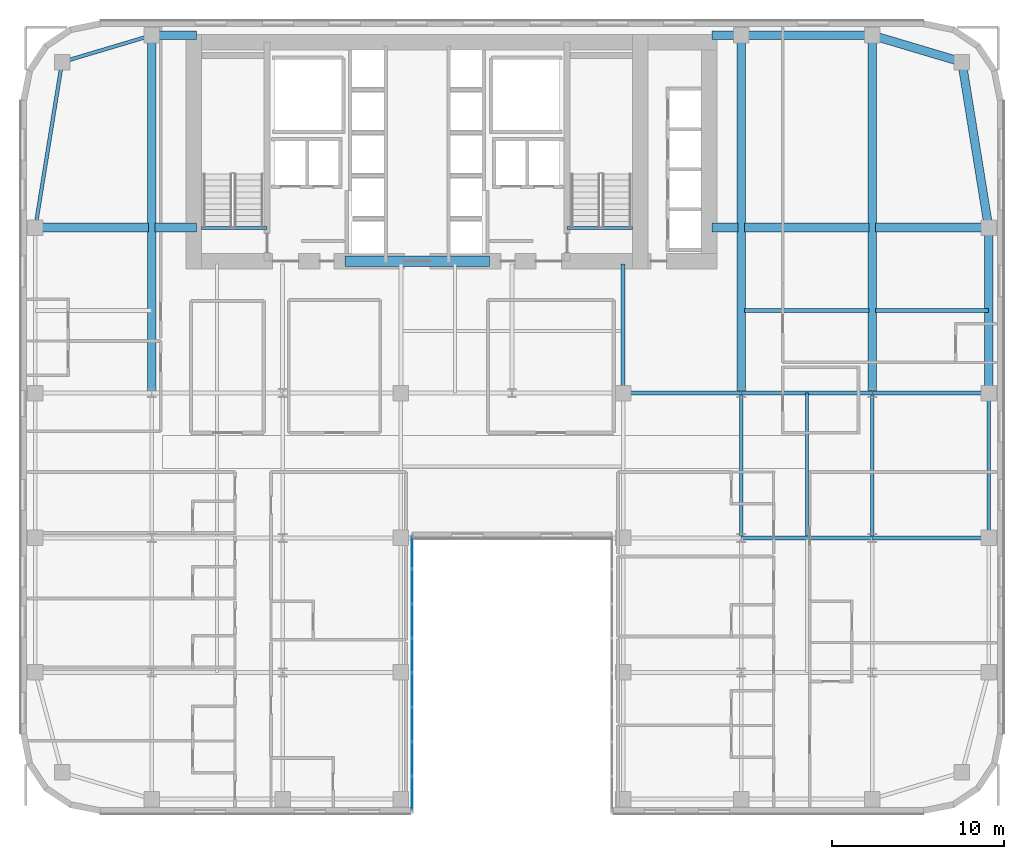
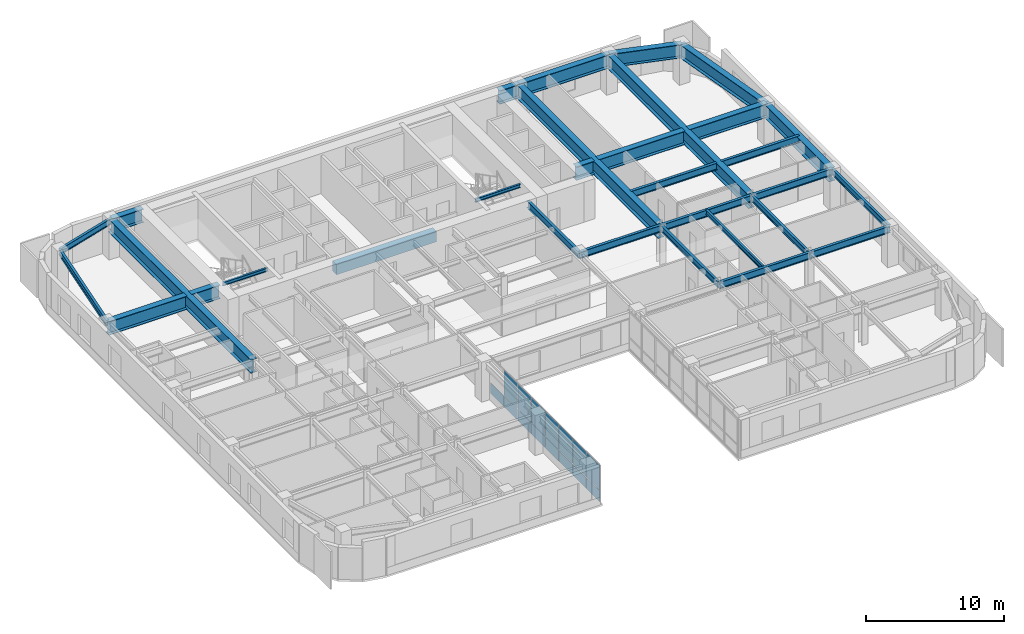
# One storey, part 12 of 24: 31 beams, 15 plates, 1 element without a shape of its own.
"""IFC4 building model written with IfcOpenShell, lengths in metres."""

from ifc_helpers import new_model, si_unit, direction, frame, origin, origin_2d, place, context, subcontext, project, spatial, rectangle, i_section, extrude, source, transform, mapped, material, layer, layer_set, material_profile, profile_set, type_object, type_shapes, element, aggregate, save


model = new_model("IFC4")

# Units and contexts
model_context = context("Model", 3, precision=1e-05, world=origin(), true_north=direction((0.0, 1.0)))
body_context = subcontext(model_context, "Body", "Model", "MODEL_VIEW")
ifc_project = project(units=[si_unit("LENGTHUNIT", "METRE"), si_unit("AREAUNIT", "SQUARE_METRE"), si_unit("VOLUMEUNIT", "CUBIC_METRE"), si_unit("PLANEANGLEUNIT", "RADIAN"), si_unit("MASSUNIT", "GRAM", prefix="KILO")], contexts=[model_context])

# Site, building, storey
site_placement = place(None, origin())
site = spatial("IfcSite", under=ifc_project, at=site_placement, CompositionType="ELEMENT")
building_placement = place(site_placement, origin())
building = spatial("IfcBuilding", under=site, at=building_placement, Name="Tolvann Quenvar Hotel", CompositionType="ELEMENT")
storey_placement = place(building_placement, frame((0.0, 0.0, 81.699951171875)))
storey = spatial("IfcBuildingStorey", under=building, at=storey_placement, Name="L20", CompositionType="ELEMENT", Elevation=81.699951171875)

# Beams
ifc_material_1 = material(Name="Concrete N50 (50 MPa)", Category="concrete")
ifc_material_profile_1 = material_profile(ifc_material_1, rectangle(XDim=0.60009765625, YDim=0.89990234375, at=origin_2d()), Name="RC600x900")
ifc_profile_set_1 = profile_set([ifc_material_profile_1], Name="Concrete N50 (50 MPa)")
beam_type_1 = type_object("IfcBeamType", Name="BM_LINT_RC600x900", PredefinedType="LINTEL", material=ifc_profile_set_1)
shared_shape_1 = source(origin(), body_context, "Body", "SweptSolid", [
    extrude(rectangle(XDim=0.60009765625, YDim=0.89990234375, at=origin_2d()), origin(), (0.0, 0.0, 1.0), 8.39990234375),
])
type_shapes(beam_type_1, [shared_shape_1])
beam_1_placement = place(storey_placement, frame((18.800048828125, 32.050048828125, 2.920166015625), z_axis=(1.0, 0.0, 0.0), x_axis=(0.0, 1.0, 0.0)))
element("IfcBeam", 1, at=beam_1_placement, inside=storey, type_object=beam_type_1, Name="Core Coupling Lintel Beam (L20)", PredefinedType="LINTEL", context=body_context, shape_type="MappedRepresentation", body=[
    mapped(shared_shape_1, transform((0.0, 0.0, 0.0), x_axis=(1.0, 0.0, 0.0), y_axis=(0.0, 1.0, 0.0), z_axis=(0.0, 0.0, 1.0), scale=1.0)),
])
ifc_material_2 = material(Name="Steel Grade 350", Category="steel")
ifc_material_profile_2 = material_profile(ifc_material_2, i_section(OverallWidth=0.5, OverallDepth=1.199951171875, WebThickness=0.01611328125, FlangeThickness=0.0400390625, at=origin_2d()), Name="1200WB455")
ifc_profile_set_2 = profile_set([ifc_material_profile_2], Name="Steel Grade 350")
beam_type_2 = type_object("IfcBeamType", Name="BM_TG_1200WB455", PredefinedType="USERDEFINED", material=ifc_profile_set_2)
shared_shape_2 = source(origin(), body_context, "Body", "SweptSolid", [
    extrude(i_section(OverallWidth=0.5, OverallDepth=1.199951171875, WebThickness=0.01611328125, FlangeThickness=0.0400390625, at=origin_2d()), origin(), (0.0, 0.0, 1.0), 7.599853515625),
])
beam_2_placement = place(storey_placement, frame((49.39990234375, 45.14990234375, 2.77001953125), z_axis=(-1.0, 0.0, 0.0), x_axis=(0.0, -1.0, 0.0)))
element("IfcBeam", 2, at=beam_2_placement, inside=storey, type_object=beam_type_2, Name="BM-L20-FLK-E4", ObjectType="TRANSFER GIRDER", PredefinedType="USERDEFINED", context=body_context, shape_type="MappedRepresentation", body=[
    mapped(shared_shape_2, transform((0.0, 0.0, 0.0), x_axis=(1.0, 0.0, 0.0), y_axis=(0.0, 1.0, 0.0), z_axis=(0.0, 0.0, 1.0), scale=1.0)),
])
shared_shape_3 = source(origin(), body_context, "Body", "SweptSolid", [
    extrude(i_section(OverallWidth=0.5, OverallDepth=1.199951171875, WebThickness=0.01611328125, FlangeThickness=0.0400390625, at=origin_2d()), origin(), (0.0, 0.0, 1.0), 9.60009765625),
])
beam_3_placement = place(storey_placement, frame((56.14990234375, 24.39990234375, 2.77001953125), z_axis=(0.0, 1.0, 0.0), x_axis=(-1.0, 0.0, 0.0)))
element("IfcBeam", 3, at=beam_3_placement, inside=storey, type_object=beam_type_2, Name="BM-L20-FLK-E1", ObjectType="TRANSFER GIRDER", PredefinedType="USERDEFINED", context=body_context, shape_type="MappedRepresentation", body=[
    mapped(shared_shape_3, transform((0.0, 0.0, 0.0), x_axis=(1.0, 0.0, 0.0), y_axis=(0.0, 1.0, 0.0), z_axis=(0.0, 0.0, 1.0), scale=1.0)),
])
ifc_material_profile_3 = material_profile(ifc_material_2, i_section(OverallWidth=0.208984375, OverallDepth=0.528076171875, WebThickness=0.009521484375, FlangeThickness=0.01318359375, FilletRadius=0.013916015625, at=origin_2d()), Name="530UB82")
ifc_profile_set_3 = profile_set([ifc_material_profile_3], Name="Steel Grade 350")
beam_type_3 = type_object("IfcBeamType", Name="BM_SPAND_530UB82", PredefinedType="SPANDREL", material=ifc_profile_set_3)
shared_shape_4 = source(origin(), body_context, "Body", "SweptSolid", [
    extrude(i_section(OverallWidth=0.208984375, OverallDepth=0.528076171875, WebThickness=0.009521484375, FlangeThickness=0.01318359375, FilletRadius=0.013916015625, at=origin_2d()), origin(), (0.0, 0.0, 1.0), 5.42626953125),
])
beam_4_placement = place(storey_placement, frame((2.39990234375, 43.60009765625, 3.10595703125), z_axis=(0.958344815522, 0.285613750654, 0.0), x_axis=(-0.285613750654, 0.958344815522, 0.0)))
element("IfcBeam", 4, at=beam_4_placement, inside=storey, type_object=beam_type_3, Name="BM-L20-FLK-W3", PredefinedType="SPANDREL", context=body_context, shape_type="MappedRepresentation", body=[
    mapped(shared_shape_4, transform((0.0, 0.0, 0.0), x_axis=(1.0, 0.0, 0.0), y_axis=(0.0, 1.0, 0.0), z_axis=(0.0, 0.0, 1.0), scale=1.0)),
])
ifc_material_profile_4 = material_profile(ifc_material_2, i_section(OverallWidth=0.22900390625, OverallDepth=0.612060546875, WebThickness=0.011962890625, FlangeThickness=0.01953125, FilletRadius=0.013916015625, at=origin_2d()), Name="610UB125")
ifc_profile_set_4 = profile_set([ifc_material_profile_4], Name="Steel Grade 350")
beam_type_4 = type_object("IfcBeamType", Name="BM_GIRD_610UB125", PredefinedType="BEAM", material=ifc_profile_set_4)
shared_shape_5 = source(origin(), body_context, "Body", "SweptSolid", [
    extrude(i_section(OverallWidth=0.22900390625, OverallDepth=0.612060546875, WebThickness=0.011962890625, FlangeThickness=0.01953125, FilletRadius=0.013916015625, at=origin_2d()), origin(), (0.0, 0.0, 1.0), 6.75),
])
for number, where, z_axis, x_axis, name in (
    (5, (49.39990234375, 16.0, 3.06396484375), (1.0, 0.0, 0.0), (0.0, 1.0, 0.0), "BM-L20-EW-4-I4-J4"),
    (6, (49.39990234375, 24.39990234375, 3.06396484375), (1.0, 0.0, 0.0), (0.0, 1.0, 0.0), "BM-L20-EW-5-I5-J5"),
):
    element("IfcBeam", number, at=place(storey_placement, frame(where, z_axis=z_axis, x_axis=x_axis)), inside=storey, type_object=beam_type_4, Name=name, PredefinedType="BEAM", context=body_context, shape_type="MappedRepresentation", body=[
        mapped(shared_shape_5, transform((0.0, 0.0, 0.0), x_axis=(1.0, 0.0, 0.0), y_axis=(0.0, 1.0, 0.0), z_axis=(0.0, 0.0, 1.0), scale=1.0)),
    ])
shared_shape_6 = source(origin(), body_context, "Body", "SweptSolid", [
    extrude(i_section(OverallWidth=0.22900390625, OverallDepth=0.612060546875, WebThickness=0.011962890625, FlangeThickness=0.01953125, FilletRadius=0.013916015625, at=origin_2d()), origin(), (0.0, 0.0, 1.0), 7.599853515625),
])
for number, where, z_axis, x_axis, name in (
    (7, (41.800048828125, 16.0, 3.06396484375), (1.0, 0.0, 0.0), (0.0, 1.0, 0.0), "BM-L20-EW-4-H4-I4"),
    (8, (41.800048828125, 24.39990234375, 3.06396484375), (1.0, 0.0, 0.0), (0.0, 1.0, 0.0), "BM-L20-EW-5-H5-I5"),
):
    element("IfcBeam", number, at=place(storey_placement, frame(where, z_axis=z_axis, x_axis=x_axis)), inside=storey, type_object=beam_type_4, Name=name, PredefinedType="BEAM", context=body_context, shape_type="MappedRepresentation", body=[
        mapped(shared_shape_6, transform((0.0, 0.0, 0.0), x_axis=(1.0, 0.0, 0.0), y_axis=(0.0, 1.0, 0.0), z_axis=(0.0, 0.0, 1.0), scale=1.0)),
    ])
shared_shape_7 = source(origin(), body_context, "Body", "SweptSolid", [
    extrude(i_section(OverallWidth=0.22900390625, OverallDepth=0.612060546875, WebThickness=0.011962890625, FlangeThickness=0.01953125, FilletRadius=0.013916015625, at=origin_2d()), origin(), (0.0, 0.0, 1.0), 6.85009765625),
])
beam_5_placement = place(storey_placement, frame((34.949951171875, 24.39990234375, 3.06396484375), z_axis=(1.0, 0.0, 0.0), x_axis=(0.0, 1.0, 0.0)))
element("IfcBeam", 9, at=beam_5_placement, inside=storey, type_object=beam_type_4, Name="BM-L20-EW-5-F5-H5", PredefinedType="BEAM", context=body_context, shape_type="MappedRepresentation", body=[
    mapped(shared_shape_7, transform((0.0, 0.0, 0.0), x_axis=(1.0, 0.0, 0.0), y_axis=(0.0, 1.0, 0.0), z_axis=(0.0, 0.0, 1.0), scale=1.0)),
])
shared_shape_8 = source(origin(), body_context, "Body", "SweptSolid", [
    extrude(i_section(OverallWidth=0.208984375, OverallDepth=0.528076171875, WebThickness=0.009521484375, FlangeThickness=0.01318359375, FilletRadius=0.013916015625, at=origin_2d()), origin(), (0.0, 0.0, 1.0), 8.39990234375),
])
beam_6_placement = place(storey_placement, frame((56.14990234375, 16.0, 3.10595703125), z_axis=(0.0, 1.0, 0.0), x_axis=(-1.0, 0.0, 0.0)))
element("IfcBeam", 10, at=beam_6_placement, inside=storey, type_object=beam_type_3, Name="BM-L20-NS-J4-J5", PredefinedType="SPANDREL", context=body_context, shape_type="MappedRepresentation", body=[
    mapped(shared_shape_8, transform((0.0, 0.0, 0.0), x_axis=(1.0, 0.0, 0.0), y_axis=(0.0, 1.0, 0.0), z_axis=(0.0, 0.0, 1.0), scale=1.0)),
])
ifc_material_profile_5 = material_profile(ifc_material_2, i_section(OverallWidth=0.208984375, OverallDepth=0.532958984375, WebThickness=0.01025390625, FlangeThickness=0.015625, FilletRadius=0.013916015625, at=origin_2d()), Name="530UB92")
ifc_profile_set_5 = profile_set([ifc_material_profile_5], Name="Steel Grade 350")
beam_type_5 = type_object("IfcBeamType", Name="BM_GIRD_530UB92", PredefinedType="BEAM", material=ifc_profile_set_5)
shared_shape_9 = source(origin(), body_context, "Body", "SweptSolid", [
    extrude(i_section(OverallWidth=0.208984375, OverallDepth=0.532958984375, WebThickness=0.01025390625, FlangeThickness=0.015625, FilletRadius=0.013916015625, at=origin_2d()), origin(), (0.0, 0.0, 1.0), 8.39990234375),
])
type_shapes(beam_type_5, [shared_shape_9])
for number, where, z_axis, x_axis, name in (
    (11, (41.800048828125, 16.0, 3.103515625), (0.0, 1.0, 0.0), (-1.0, 0.0, 0.0), "BM-L20-NS-H4-H5"),
    (12, (49.39990234375, 16.0, 3.103515625), (0.0, 1.0, 0.0), (-1.0, 0.0, 0.0), "BM-L20-NS-I4-I5"),
):
    element("IfcBeam", number, at=place(storey_placement, frame(where, z_axis=z_axis, x_axis=x_axis)), inside=storey, type_object=beam_type_5, Name=name, PredefinedType="BEAM", context=body_context, shape_type="MappedRepresentation", body=[
        mapped(shared_shape_9, transform((0.0, 0.0, 0.0), x_axis=(1.0, 0.0, 0.0), y_axis=(0.0, 1.0, 0.0), z_axis=(0.0, 0.0, 1.0), scale=1.0)),
    ])
shared_shape_10 = source(origin(), body_context, "Body", "SweptSolid", [
    extrude(i_section(OverallWidth=0.22900390625, OverallDepth=0.612060546875, WebThickness=0.011962890625, FlangeThickness=0.01953125, FilletRadius=0.013916015625, at=origin_2d()), origin(), (0.0, 0.0, 1.0), 7.5),
])
beam_7_placement = place(storey_placement, frame((34.949951171875, 24.39990234375, 3.06396484375), z_axis=(0.0, 1.0, 0.0), x_axis=(-1.0, 0.0, 0.0)))
element("IfcBeam", 13, at=beam_7_placement, inside=storey, type_object=beam_type_4, Name="BM-L20-CORE-F5", PredefinedType="BEAM", context=body_context, shape_type="MappedRepresentation", body=[
    mapped(shared_shape_10, transform((0.0, 0.0, 0.0), x_axis=(1.0, 0.0, 0.0), y_axis=(0.0, 1.0, 0.0), z_axis=(0.0, 0.0, 1.0), scale=1.0)),
])
shared_shape_11 = source(origin(), body_context, "Body", "SweptSolid", [
    extrude(i_section(OverallWidth=0.208984375, OverallDepth=0.528076171875, WebThickness=0.009521484375, FlangeThickness=0.01318359375, FilletRadius=0.013916015625, at=origin_2d()), origin(), (0.0, 0.0, 1.0), 9.724365234375),
])
type_shapes(beam_type_3, [shared_shape_4, shared_shape_8, shared_shape_11])
beam_8_placement = place(storey_placement, frame((0.85009765625, 34.0, 3.10595703125), z_axis=(0.159372939192, 0.987218449105, 0.0), x_axis=(-0.987218449105, 0.159372939192, 0.0)))
element("IfcBeam", 14, at=beam_8_placement, inside=storey, type_object=beam_type_3, Name="BM-L20-FLK-W2", PredefinedType="SPANDREL", context=body_context, shape_type="MappedRepresentation", body=[
    mapped(shared_shape_11, transform((0.0, 0.0, 0.0), x_axis=(1.0, 0.0, 0.0), y_axis=(0.0, 1.0, 0.0), z_axis=(0.0, 0.0, 1.0), scale=1.0)),
])
shared_shape_12 = source(origin(), body_context, "Body", "SweptSolid", [
    extrude(i_section(OverallWidth=0.5, OverallDepth=1.199951171875, WebThickness=0.01611328125, FlangeThickness=0.0400390625, at=origin_2d()), origin(), (0.0, 0.0, 1.0), 20.75),
])
for number, where, z_axis, x_axis, name in (
    (15, (7.60009765625, 24.39990234375, 2.77001953125), (0.0, 1.0, 0.0), (-1.0, 0.0, 0.0), "BM-L20-FLK-WC"),
    (16, (41.800048828125, 24.39990234375, 2.77001953125), (0.0, 1.0, 0.0), (-1.0, 0.0, 0.0), "BM-L20-FLK-EH"),
    (17, (49.39990234375, 24.39990234375, 2.77001953125), (0.0, 1.0, 0.0), (-1.0, 0.0, 0.0), "BM-L20-FLK-EI"),
):
    element("IfcBeam", number, at=place(storey_placement, frame(where, z_axis=z_axis, x_axis=x_axis)), inside=storey, type_object=beam_type_2, Name=name, ObjectType="TRANSFER GIRDER", PredefinedType="USERDEFINED", context=body_context, shape_type="MappedRepresentation", body=[
        mapped(shared_shape_12, transform((0.0, 0.0, 0.0), x_axis=(1.0, 0.0, 0.0), y_axis=(0.0, 1.0, 0.0), z_axis=(0.0, 0.0, 1.0), scale=1.0)),
    ])
shared_shape_13 = source(origin(), body_context, "Body", "SweptSolid", [
    extrude(i_section(OverallWidth=0.5, OverallDepth=1.199951171875, WebThickness=0.01611328125, FlangeThickness=0.0400390625, at=origin_2d()), origin(), (0.0, 0.0, 1.0), 6.56982421875),
])
for number, where, z_axis, x_axis, name in (
    (18, (0.85009765625, 34.0, 2.77001953125), (1.0, 0.0, 0.0), (0.0, 1.0, 0.0), "BM-L20-CTW-MID1"),
    (19, (49.580078125, 34.0, 2.77001953125), (1.0, 0.0, 0.0), (0.0, 1.0, 0.0), "BM-L20-CTE-JD6C"),
):
    element("IfcBeam", number, at=place(storey_placement, frame(where, z_axis=z_axis, x_axis=x_axis)), inside=storey, type_object=beam_type_2, Name=name, ObjectType="TRANSFER GIRDER", PredefinedType="USERDEFINED", context=body_context, shape_type="MappedRepresentation", body=[
        mapped(shared_shape_13, transform((0.0, 0.0, 0.0), x_axis=(1.0, 0.0, 0.0), y_axis=(0.0, 1.0, 0.0), z_axis=(0.0, 0.0, 1.0), scale=1.0)),
    ])
shared_shape_14 = source(origin(), body_context, "Body", "SweptSolid", [
    extrude(i_section(OverallWidth=0.5, OverallDepth=1.199951171875, WebThickness=0.01611328125, FlangeThickness=0.0400390625, at=origin_2d()), origin(), (0.0, 0.0, 1.0), 2.419921875),
])
beam_9_placement = place(storey_placement, frame((7.780029296875, 34.0, 2.77001953125), z_axis=(1.0, 0.0, 0.0), x_axis=(0.0, 1.0, 0.0)))
element("IfcBeam", 20, at=beam_9_placement, inside=storey, type_object=beam_type_2, Name="BM-L20-CTW-MID2", ObjectType="TRANSFER GIRDER", PredefinedType="USERDEFINED", context=body_context, shape_type="MappedRepresentation", body=[
    mapped(shared_shape_14, transform((0.0, 0.0, 0.0), x_axis=(1.0, 0.0, 0.0), y_axis=(0.0, 1.0, 0.0), z_axis=(0.0, 0.0, 1.0), scale=1.0)),
])
shared_shape_15 = source(origin(), body_context, "Body", "SweptSolid", [
    extrude(i_section(OverallWidth=0.5, OverallDepth=1.199951171875, WebThickness=0.01611328125, FlangeThickness=0.0400390625, at=origin_2d()), origin(), (0.0, 0.0, 1.0), 2.599853515625),
])
beam_10_placement = place(storey_placement, frame((7.60009765625, 45.14990234375, 2.77001953125), z_axis=(1.0, 0.0, 0.0), x_axis=(0.0, 1.0, 0.0)))
element("IfcBeam", 21, at=beam_10_placement, inside=storey, type_object=beam_type_2, Name="BM-L20-CTW-CN", ObjectType="TRANSFER GIRDER", PredefinedType="USERDEFINED", context=body_context, shape_type="MappedRepresentation", body=[
    mapped(shared_shape_15, transform((0.0, 0.0, 0.0), x_axis=(1.0, 0.0, 0.0), y_axis=(0.0, 1.0, 0.0), z_axis=(0.0, 0.0, 1.0), scale=1.0)),
])
shared_shape_16 = source(origin(), body_context, "Body", "SweptSolid", [
    extrude(i_section(OverallWidth=0.5, OverallDepth=1.199951171875, WebThickness=0.01611328125, FlangeThickness=0.0400390625, at=origin_2d()), origin(), (0.0, 0.0, 1.0), 9.724365234375),
])
beam_11_placement = place(storey_placement, frame((56.14990234375, 34.0, 2.77001953125), z_axis=(-0.159372939192, 0.987218449105, 0.0), x_axis=(-0.987218449105, -0.159372939192, 0.0)))
element("IfcBeam", 22, at=beam_11_placement, inside=storey, type_object=beam_type_2, Name="BM-L20-FLK-E2", ObjectType="TRANSFER GIRDER", PredefinedType="USERDEFINED", context=body_context, shape_type="MappedRepresentation", body=[
    mapped(shared_shape_16, transform((0.0, 0.0, 0.0), x_axis=(1.0, 0.0, 0.0), y_axis=(0.0, 1.0, 0.0), z_axis=(0.0, 0.0, 1.0), scale=1.0)),
])
shared_shape_17 = source(origin(), body_context, "Body", "SweptSolid", [
    extrude(i_section(OverallWidth=0.5, OverallDepth=1.199951171875, WebThickness=0.01611328125, FlangeThickness=0.0400390625, at=origin_2d()), origin(), (0.0, 0.0, 1.0), 5.42626953125),
])
beam_12_placement = place(storey_placement, frame((54.60009765625, 43.60009765625, 2.77001953125), z_axis=(-0.958344815522, 0.285613750654, 0.0), x_axis=(-0.285613750654, -0.958344815522, 0.0)))
element("IfcBeam", 23, at=beam_12_placement, inside=storey, type_object=beam_type_2, Name="BM-L20-FLK-E3", ObjectType="TRANSFER GIRDER", PredefinedType="USERDEFINED", context=body_context, shape_type="MappedRepresentation", body=[
    mapped(shared_shape_17, transform((0.0, 0.0, 0.0), x_axis=(1.0, 0.0, 0.0), y_axis=(0.0, 1.0, 0.0), z_axis=(0.0, 0.0, 1.0), scale=1.0)),
])
shared_shape_18 = source(origin(), body_context, "Body", "SweptSolid", [
    extrude(i_section(OverallWidth=0.5, OverallDepth=1.199951171875, WebThickness=0.01611328125, FlangeThickness=0.0400390625, at=origin_2d()), origin(), (0.0, 0.0, 1.0), 1.699951171875),
])
beam_13_placement = place(storey_placement, frame((40.10009765625, 45.14990234375, 2.77001953125), z_axis=(1.0, 0.0, 0.0), x_axis=(0.0, 1.0, 0.0)))
element("IfcBeam", 24, at=beam_13_placement, inside=storey, type_object=beam_type_2, Name="BM-L20-CTE-HN", ObjectType="TRANSFER GIRDER", PredefinedType="USERDEFINED", context=body_context, shape_type="MappedRepresentation", body=[
    mapped(shared_shape_18, transform((0.0, 0.0, 0.0), x_axis=(1.0, 0.0, 0.0), y_axis=(0.0, 1.0, 0.0), z_axis=(0.0, 0.0, 1.0), scale=1.0)),
])
shared_shape_19 = source(origin(), body_context, "Body", "SweptSolid", [
    extrude(i_section(OverallWidth=0.5, OverallDepth=1.199951171875, WebThickness=0.01611328125, FlangeThickness=0.0400390625, at=origin_2d()), origin(), (0.0, 0.0, 1.0), 1.52001953125),
])
beam_14_placement = place(storey_placement, frame((40.10009765625, 34.0, 2.77001953125), z_axis=(1.0, 0.0, 0.0), x_axis=(0.0, 1.0, 0.0)))
element("IfcBeam", 25, at=beam_14_placement, inside=storey, type_object=beam_type_2, Name="BM-L20-CTE-JD6A", ObjectType="TRANSFER GIRDER", PredefinedType="USERDEFINED", context=body_context, shape_type="MappedRepresentation", body=[
    mapped(shared_shape_19, transform((0.0, 0.0, 0.0), x_axis=(1.0, 0.0, 0.0), y_axis=(0.0, 1.0, 0.0), z_axis=(0.0, 0.0, 1.0), scale=1.0)),
])
shared_shape_20 = source(origin(), body_context, "Body", "SweptSolid", [
    extrude(i_section(OverallWidth=0.5, OverallDepth=1.199951171875, WebThickness=0.01611328125, FlangeThickness=0.0400390625, at=origin_2d()), origin(), (0.0, 0.0, 1.0), 7.239990234375),
])
type_shapes(beam_type_2, [shared_shape_2, shared_shape_3, shared_shape_12, shared_shape_13, shared_shape_14, shared_shape_15, shared_shape_16, shared_shape_17, shared_shape_18, shared_shape_19, shared_shape_20])
beam_15_placement = place(storey_placement, frame((41.97998046875, 34.0, 2.77001953125), z_axis=(1.0, 0.0, 0.0), x_axis=(0.0, 1.0, 0.0)))
element("IfcBeam", 26, at=beam_15_placement, inside=storey, type_object=beam_type_2, Name="BM-L20-CTE-JD6B", ObjectType="TRANSFER GIRDER", PredefinedType="USERDEFINED", context=body_context, shape_type="MappedRepresentation", body=[
    mapped(shared_shape_20, transform((0.0, 0.0, 0.0), x_axis=(1.0, 0.0, 0.0), y_axis=(0.0, 1.0, 0.0), z_axis=(0.0, 0.0, 1.0), scale=1.0)),
])
shared_shape_21 = source(origin(), body_context, "Body", "SweptSolid", [
    extrude(i_section(OverallWidth=0.22900390625, OverallDepth=0.612060546875, WebThickness=0.011962890625, FlangeThickness=0.01953125, FilletRadius=0.013916015625, at=origin_2d()), origin(), (0.0, 0.0, 1.0), 7.239990234375),
])
beam_16_placement = place(storey_placement, frame((41.97998046875, 29.199951171875, 3.06396484375), z_axis=(1.0, 0.0, 0.0), x_axis=(0.0, 1.0, 0.0)))
element("IfcBeam", 27, at=beam_16_placement, inside=storey, type_object=beam_type_4, Name="BM-L20-EW-HI29", PredefinedType="BEAM", context=body_context, shape_type="MappedRepresentation", body=[
    mapped(shared_shape_21, transform((0.0, 0.0, 0.0), x_axis=(1.0, 0.0, 0.0), y_axis=(0.0, 1.0, 0.0), z_axis=(0.0, 0.0, 1.0), scale=1.0)),
])
shared_shape_22 = source(origin(), body_context, "Body", "SweptSolid", [
    extrude(i_section(OverallWidth=0.22900390625, OverallDepth=0.612060546875, WebThickness=0.011962890625, FlangeThickness=0.01953125, FilletRadius=0.013916015625, at=origin_2d()), origin(), (0.0, 0.0, 1.0), 6.56982421875),
])
type_shapes(beam_type_4, [shared_shape_5, shared_shape_6, shared_shape_7, shared_shape_10, shared_shape_21, shared_shape_22])
beam_17_placement = place(storey_placement, frame((49.580078125, 29.199951171875, 3.06396484375), z_axis=(1.0, 0.0, 0.0), x_axis=(0.0, 1.0, 0.0)))
element("IfcBeam", 28, at=beam_17_placement, inside=storey, type_object=beam_type_4, Name="BM-L20-EW-IJ29", PredefinedType="BEAM", context=body_context, shape_type="MappedRepresentation", body=[
    mapped(shared_shape_22, transform((0.0, 0.0, 0.0), x_axis=(1.0, 0.0, 0.0), y_axis=(0.0, 1.0, 0.0), z_axis=(0.0, 0.0, 1.0), scale=1.0)),
])
ifc_material_profile_6 = material_profile(ifc_material_2, i_section(OverallWidth=0.177978515625, OverallDepth=0.406005859375, WebThickness=0.0078125, FlangeThickness=0.0126953125, FilletRadius=0.011474609375, at=origin_2d()), Name="410UB60")
ifc_profile_set_6 = profile_set([ifc_material_profile_6], Name="Steel Grade 350")
beam_type_6 = type_object("IfcBeamType", Name="BM_JOIST_410UB60", PredefinedType="JOIST", material=ifc_profile_set_6)
shared_shape_23 = source(origin(), body_context, "Body", "SweptSolid", [
    extrude(i_section(OverallWidth=0.177978515625, OverallDepth=0.406005859375, WebThickness=0.0078125, FlangeThickness=0.0126953125, FilletRadius=0.011474609375, at=origin_2d()), origin(), (0.0, 0.0, 1.0), 8.29150390625),
])
type_shapes(beam_type_6, [shared_shape_23])
beam_18_placement = place(storey_placement, frame((45.60009765625, 16.1083984375, 3.1669921875), z_axis=(0.0, 1.0, 0.0), x_axis=(-1.0, 0.0, 0.0)))
element("IfcBeam", 29, at=beam_18_placement, inside=storey, type_object=beam_type_6, Name="BJ-L20-456-160", PredefinedType="JOIST", context=body_context, shape_type="MappedRepresentation", body=[
    mapped(shared_shape_23, transform((0.0, 0.0, 0.0), x_axis=(1.0, 0.0, 0.0), y_axis=(0.0, 1.0, 0.0), z_axis=(0.0, 0.0, 1.0), scale=1.0)),
])
ifc_material_profile_7 = material_profile(ifc_material_2, i_section(OverallWidth=0.166015625, OverallDepth=0.306884765625, WebThickness=0.006591796875, FlangeThickness=0.01171875, FilletRadius=0.011474609375, at=origin_2d()), Name="310UB46")
ifc_profile_set_7 = profile_set([ifc_material_profile_7], Name="Steel Grade 350")
beam_type_7 = type_object("IfcBeamType", Name="BM_JOIST_310UB46", PredefinedType="JOIST", material=ifc_profile_set_7)
shared_shape_24 = source(origin(), body_context, "Body", "SweptSolid", [
    extrude(i_section(OverallWidth=0.166015625, OverallDepth=0.306884765625, WebThickness=0.006591796875, FlangeThickness=0.01171875, FilletRadius=0.011474609375, at=origin_2d()), origin(), (0.0, 0.0, 1.0), 3.800048828125),
])
type_shapes(beam_type_7, [shared_shape_24])
for number, where, z_axis, x_axis, name in (
    (30, (10.5, 33.97998046875, 3.216552734375), (1.0, 0.0, 0.0), (0.0, 1.0, 0.0), "BM-HDR-STC1-L21"),
    (31, (31.699951171875, 33.97998046875, 3.216552734375), (1.0, 0.0, 0.0), (0.0, 1.0, 0.0), "BM-HDR-STC2-L21"),
):
    element("IfcBeam", number, at=place(storey_placement, frame(where, z_axis=z_axis, x_axis=x_axis)), inside=storey, type_object=beam_type_7, Name=name, PredefinedType="JOIST", context=body_context, shape_type="MappedRepresentation", body=[
        mapped(shared_shape_24, transform((0.0, 0.0, 0.0), x_axis=(1.0, 0.0, 0.0), y_axis=(0.0, 1.0, 0.0), z_axis=(0.0, 0.0, 1.0), scale=1.0)),
    ])

# Curtain wall, plates
ifc_material_3 = material(Name="Thermally broken anodised architectural aluminium 6063-T6 and laminated low-E glass", Category="aluminium")
ifc_layer_1 = layer(ifc_material_3, 0.179931640625)
ifc_layer_set_1 = layer_set([ifc_layer_1], Name="Thermally broken anodised architectural aluminium 6063-T6 and laminated low-E glass")
curtain_wall_type = type_object("IfcCurtainWallType", Name="CW_SYS_SLOT_03", PredefinedType="USERDEFINED", material=ifc_layer_set_1)
curtain_wall_placement = place(storey_placement, origin())
curtain_wall = element("IfcCurtainWall", 32, at=curtain_wall_placement, inside=storey, type_object=curtain_wall_type, Name="Curtain Wall CW-SLOT-03 (CWR-L20-E05)", ObjectType="UNITISED CURTAIN WALL", PredefinedType="USERDEFINED")
ifc_material_4 = material(Name="Low-iron laminated double glazing with solar-control coating", Category="glass")
ifc_layer_2 = layer(ifc_material_4, 0.028076171875)
ifc_layer_set_2 = layer_set([ifc_layer_2], Name="Low-iron laminated double glazing with solar-control coating")
plate_type = type_object("IfcPlateType", Name="CW_PAN_VISION_28", PredefinedType="CURTAIN_PANEL", material=ifc_layer_set_2)
shared_shape_25 = source(origin(), body_context, "Body", "SweptSolid", [
    extrude(rectangle(XDim=1.89501953125, YDim=0.028076171875, at=origin_2d()), origin(), (0.0, 0.0, 1.0), 0.9599609375),
])
plate_1_placement = place(storey_placement, frame((22.7099609375, 1.1923828125, 0.06005859375), z_axis=(0.0, 0.0, 1.0), x_axis=(0.0, 1.0, 0.0)))
plate_1 = element("IfcPlate", 33, at=plate_1_placement, type_object=plate_type, Name="CW-SLOT-03 panel 1.1", PredefinedType="CURTAIN_PANEL", context=body_context, shape_type="MappedRepresentation", body=[
    mapped(shared_shape_25, transform((0.0, 0.0, 0.0), x_axis=(1.0, 0.0, 0.0), y_axis=(0.0, 1.0, 0.0), z_axis=(0.0, 0.0, 1.0), scale=1.0)),
])
plate_2_placement = place(storey_placement, frame((22.7099609375, 15.157470703125, 0.06005859375), z_axis=(0.0, 0.0, 1.0), x_axis=(0.0, 1.0, 0.0)))
plate_2 = element("IfcPlate", 34, at=plate_2_placement, type_object=plate_type, Name="CW-SLOT-03 panel 8.1", PredefinedType="CURTAIN_PANEL", context=body_context, shape_type="MappedRepresentation", body=[
    mapped(shared_shape_25, transform((0.0, 0.0, 0.0), x_axis=(1.0, 0.0, 0.0), y_axis=(0.0, 1.0, 0.0), z_axis=(0.0, 0.0, 1.0), scale=1.0)),
])
shared_shape_26 = source(origin(), body_context, "Body", "SweptSolid", [
    extrude(rectangle(XDim=1.89501953125, YDim=0.028076171875, at=origin_2d()), origin(), (0.0, 0.0, 1.0), 2.22998046875),
])
plate_3_placement = place(storey_placement, frame((22.7099609375, 1.1923828125, 1.080078125), z_axis=(0.0, 0.0, 1.0), x_axis=(0.0, 1.0, 0.0)))
plate_3 = element("IfcPlate", 35, at=plate_3_placement, type_object=plate_type, Name="CW-SLOT-03 panel 1.2", PredefinedType="CURTAIN_PANEL", context=body_context, shape_type="MappedRepresentation", body=[
    mapped(shared_shape_26, transform((0.0, 0.0, 0.0), x_axis=(1.0, 0.0, 0.0), y_axis=(0.0, 1.0, 0.0), z_axis=(0.0, 0.0, 1.0), scale=1.0)),
])
shared_shape_27 = source(origin(), body_context, "Body", "SweptSolid", [
    extrude(rectangle(XDim=1.929931640625, YDim=0.028076171875, at=origin_2d()), origin(), (0.0, 0.0, 1.0), 0.9599609375),
])
plate_4_placement = place(storey_placement, frame((22.7099609375, 3.175048828125, 0.06005859375), z_axis=(0.0, 0.0, 1.0), x_axis=(0.0, 1.0, 0.0)))
plate_4 = element("IfcPlate", 36, at=plate_4_placement, type_object=plate_type, Name="CW-SLOT-03 panel 2.1", PredefinedType="CURTAIN_PANEL", context=body_context, shape_type="MappedRepresentation", body=[
    mapped(shared_shape_27, transform((0.0, 0.0, 0.0), x_axis=(1.0, 0.0, 0.0), y_axis=(0.0, 1.0, 0.0), z_axis=(0.0, 0.0, 1.0), scale=1.0)),
])
plate_5_placement = place(storey_placement, frame((22.7099609375, 5.175048828125, 0.06005859375), z_axis=(0.0, 0.0, 1.0), x_axis=(0.0, 1.0, 0.0)))
plate_5 = element("IfcPlate", 37, at=plate_5_placement, type_object=plate_type, Name="CW-SLOT-03 panel 3.1", PredefinedType="CURTAIN_PANEL", context=body_context, shape_type="MappedRepresentation", body=[
    mapped(shared_shape_27, transform((0.0, 0.0, 0.0), x_axis=(1.0, 0.0, 0.0), y_axis=(0.0, 1.0, 0.0), z_axis=(0.0, 0.0, 1.0), scale=1.0)),
])
plate_6_placement = place(storey_placement, frame((22.7099609375, 7.175048828125, 0.06005859375), z_axis=(0.0, 0.0, 1.0), x_axis=(0.0, 1.0, 0.0)))
plate_6 = element("IfcPlate", 38, at=plate_6_placement, type_object=plate_type, Name="CW-SLOT-03 panel 4.1", PredefinedType="CURTAIN_PANEL", context=body_context, shape_type="MappedRepresentation", body=[
    mapped(shared_shape_27, transform((0.0, 0.0, 0.0), x_axis=(1.0, 0.0, 0.0), y_axis=(0.0, 1.0, 0.0), z_axis=(0.0, 0.0, 1.0), scale=1.0)),
])
plate_7_placement = place(storey_placement, frame((22.7099609375, 9.175048828125, 0.06005859375), z_axis=(0.0, 0.0, 1.0), x_axis=(0.0, 1.0, 0.0)))
plate_7 = element("IfcPlate", 39, at=plate_7_placement, type_object=plate_type, Name="CW-SLOT-03 panel 5.1", PredefinedType="CURTAIN_PANEL", context=body_context, shape_type="MappedRepresentation", body=[
    mapped(shared_shape_27, transform((0.0, 0.0, 0.0), x_axis=(1.0, 0.0, 0.0), y_axis=(0.0, 1.0, 0.0), z_axis=(0.0, 0.0, 1.0), scale=1.0)),
])
plate_8_placement = place(storey_placement, frame((22.7099609375, 11.175048828125, 0.06005859375), z_axis=(0.0, 0.0, 1.0), x_axis=(0.0, 1.0, 0.0)))
plate_8 = element("IfcPlate", 40, at=plate_8_placement, type_object=plate_type, Name="CW-SLOT-03 panel 6.1", PredefinedType="CURTAIN_PANEL", context=body_context, shape_type="MappedRepresentation", body=[
    mapped(shared_shape_27, transform((0.0, 0.0, 0.0), x_axis=(1.0, 0.0, 0.0), y_axis=(0.0, 1.0, 0.0), z_axis=(0.0, 0.0, 1.0), scale=1.0)),
])
plate_9_placement = place(storey_placement, frame((22.7099609375, 13.175048828125, 0.06005859375), z_axis=(0.0, 0.0, 1.0), x_axis=(0.0, 1.0, 0.0)))
plate_9 = element("IfcPlate", 41, at=plate_9_placement, type_object=plate_type, Name="CW-SLOT-03 panel 7.1", PredefinedType="CURTAIN_PANEL", context=body_context, shape_type="MappedRepresentation", body=[
    mapped(shared_shape_27, transform((0.0, 0.0, 0.0), x_axis=(1.0, 0.0, 0.0), y_axis=(0.0, 1.0, 0.0), z_axis=(0.0, 0.0, 1.0), scale=1.0)),
])
shared_shape_28 = source(origin(), body_context, "Body", "SweptSolid", [
    extrude(rectangle(XDim=1.929931640625, YDim=0.028076171875, at=origin_2d()), origin(), (0.0, 0.0, 1.0), 2.22998046875),
])
type_shapes(plate_type, [shared_shape_25, shared_shape_26, shared_shape_27, shared_shape_28])
plate_10_placement = place(storey_placement, frame((22.7099609375, 3.175048828125, 1.080078125), z_axis=(0.0, 0.0, 1.0), x_axis=(0.0, 1.0, 0.0)))
plate_10 = element("IfcPlate", 42, at=plate_10_placement, type_object=plate_type, Name="CW-SLOT-03 panel 2.2", PredefinedType="CURTAIN_PANEL", context=body_context, shape_type="MappedRepresentation", body=[
    mapped(shared_shape_28, transform((0.0, 0.0, 0.0), x_axis=(1.0, 0.0, 0.0), y_axis=(0.0, 1.0, 0.0), z_axis=(0.0, 0.0, 1.0), scale=1.0)),
])
plate_11_placement = place(storey_placement, frame((22.7099609375, 5.175048828125, 1.080078125), z_axis=(0.0, 0.0, 1.0), x_axis=(0.0, 1.0, 0.0)))
plate_11 = element("IfcPlate", 43, at=plate_11_placement, type_object=plate_type, Name="CW-SLOT-03 panel 3.2", PredefinedType="CURTAIN_PANEL", context=body_context, shape_type="MappedRepresentation", body=[
    mapped(shared_shape_28, transform((0.0, 0.0, 0.0), x_axis=(1.0, 0.0, 0.0), y_axis=(0.0, 1.0, 0.0), z_axis=(0.0, 0.0, 1.0), scale=1.0)),
])
plate_12_placement = place(storey_placement, frame((22.7099609375, 7.175048828125, 1.080078125), z_axis=(0.0, 0.0, 1.0), x_axis=(0.0, 1.0, 0.0)))
plate_12 = element("IfcPlate", 44, at=plate_12_placement, type_object=plate_type, Name="CW-SLOT-03 panel 4.2", PredefinedType="CURTAIN_PANEL", context=body_context, shape_type="MappedRepresentation", body=[
    mapped(shared_shape_28, transform((0.0, 0.0, 0.0), x_axis=(1.0, 0.0, 0.0), y_axis=(0.0, 1.0, 0.0), z_axis=(0.0, 0.0, 1.0), scale=1.0)),
])
plate_13_placement = place(storey_placement, frame((22.7099609375, 9.175048828125, 1.080078125), z_axis=(0.0, 0.0, 1.0), x_axis=(0.0, 1.0, 0.0)))
plate_13 = element("IfcPlate", 45, at=plate_13_placement, type_object=plate_type, Name="CW-SLOT-03 panel 5.2", PredefinedType="CURTAIN_PANEL", context=body_context, shape_type="MappedRepresentation", body=[
    mapped(shared_shape_28, transform((0.0, 0.0, 0.0), x_axis=(1.0, 0.0, 0.0), y_axis=(0.0, 1.0, 0.0), z_axis=(0.0, 0.0, 1.0), scale=1.0)),
])
plate_14_placement = place(storey_placement, frame((22.7099609375, 11.175048828125, 1.080078125), z_axis=(0.0, 0.0, 1.0), x_axis=(0.0, 1.0, 0.0)))
plate_14 = element("IfcPlate", 46, at=plate_14_placement, type_object=plate_type, Name="CW-SLOT-03 panel 6.2", PredefinedType="CURTAIN_PANEL", context=body_context, shape_type="MappedRepresentation", body=[
    mapped(shared_shape_28, transform((0.0, 0.0, 0.0), x_axis=(1.0, 0.0, 0.0), y_axis=(0.0, 1.0, 0.0), z_axis=(0.0, 0.0, 1.0), scale=1.0)),
])
plate_15_placement = place(storey_placement, frame((22.7099609375, 13.175048828125, 1.080078125), z_axis=(0.0, 0.0, 1.0), x_axis=(0.0, 1.0, 0.0)))
plate_15 = element("IfcPlate", 47, at=plate_15_placement, type_object=plate_type, Name="CW-SLOT-03 panel 7.2", PredefinedType="CURTAIN_PANEL", context=body_context, shape_type="MappedRepresentation", body=[
    mapped(shared_shape_28, transform((0.0, 0.0, 0.0), x_axis=(1.0, 0.0, 0.0), y_axis=(0.0, 1.0, 0.0), z_axis=(0.0, 0.0, 1.0), scale=1.0)),
])
aggregate(curtain_wall, [plate_1, plate_3, plate_4, plate_10, plate_5, plate_11, plate_6, plate_12, plate_7, plate_13, plate_8, plate_14, plate_9, plate_15, plate_2])

save(model, "model.ifc")
